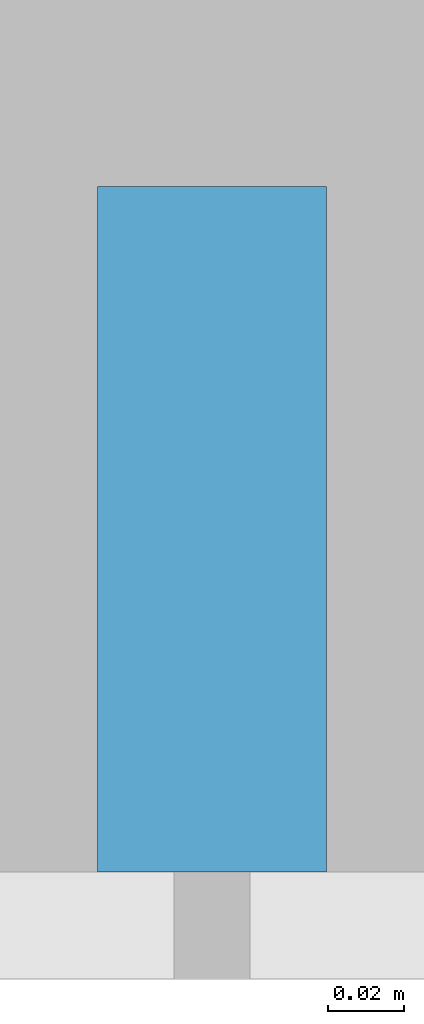
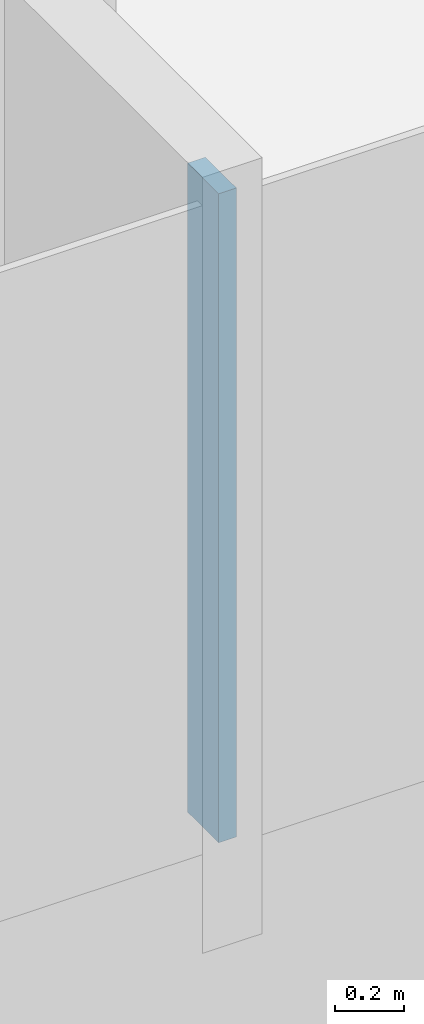
# One storey, part 5 of 26: 1 member, 1 element without a shape of its own.
"""IFC4 building model written with IfcOpenShell, lengths in metres."""

from ifc_helpers import new_model, si_unit, direction, frame, origin, origin_2d, place, context, subcontext, project, spatial, rectangle, extrude, material, layer, layer_set, material_profile, profile_set, type_object, element, aggregate, save


model = new_model("IFC4")

# Units and contexts
model_context = context("Model", 3, precision=1e-05, world=origin(), true_north=direction((0.0, 1.0)))
body_context = subcontext(model_context, "Body", "Model", "MODEL_VIEW")
ifc_project = project(units=[si_unit("LENGTHUNIT", "METRE"), si_unit("AREAUNIT", "SQUARE_METRE"), si_unit("VOLUMEUNIT", "CUBIC_METRE"), si_unit("PLANEANGLEUNIT", "RADIAN"), si_unit("MASSUNIT", "GRAM", prefix="KILO")], contexts=[model_context])

# Site, building, storey
site_placement = place(None, origin())
site = spatial("IfcSite", under=ifc_project, at=site_placement, CompositionType="ELEMENT")
building_placement = place(site_placement, origin())
building = spatial("IfcBuilding", under=site, at=building_placement, Name="Hakoniwa Tower and Hamabe Station Hall", CompositionType="ELEMENT")
storey_placement = place(building_placement, frame((0.0, 0.0, 199.39990234375)))
storey = spatial("IfcBuildingStorey", under=building, at=storey_placement, Name="L56", CompositionType="ELEMENT", Elevation=199.39990234375)

# Curtain wall, member
ifc_material_1 = material(Name="Dark low-e laminated glass", Category="glass")
ifc_layer = layer(ifc_material_1, 0.199951171875)
ifc_layer_set = layer_set([ifc_layer], Name="CW-1 UNITISED GUEST")
curtain_wall_type = type_object("IfcCurtainWallType", Name="CW-1 UNITISED GUEST", PredefinedType="NOTDEFINED", material=ifc_layer_set)
curtain_wall_placement = place(storey_placement, origin())
curtain_wall = element("IfcCurtainWall", 1, at=curtain_wall_placement, inside=storey, type_object=curtain_wall_type, Name="CW-1 curtain wall", PredefinedType="NOTDEFINED")
ifc_material_2 = material(Name="Aluminium 6063-T5 black anodised", Category="aluminium")
ifc_material_profile = material_profile(ifc_material_2, rectangle(XDim=0.06005859375, YDim=0.179931640625, at=origin_2d()), Name="CW-1 MULLION 60X180")
ifc_profile_set = profile_set([ifc_material_profile], Name="Aluminium 6063-T5 black anodised")
member_type = type_object("IfcMemberType", Name="CW-1 MULLION 60X180", PredefinedType="MULLION", material=ifc_profile_set)
member_placement = place(storey_placement, frame((16.800048828125, -15.431884765625, 0.35009765625), z_axis=(0.0, 0.0, 1.0), x_axis=(1.0, 0.0, 0.0)))
member = element("IfcMember", 2, at=member_placement, type_object=member_type, Name="CW-1 mullion", PredefinedType="MULLION", context=body_context, shape_type="SweptSolid", body=[
    extrude(rectangle(XDim=0.06005859375, YDim=0.179931640625, at=origin_2d()), origin(), (0.0, 0.0, 1.0), 2.300048828125),
])
aggregate(curtain_wall, [member])

save(model, "model.ifc")
